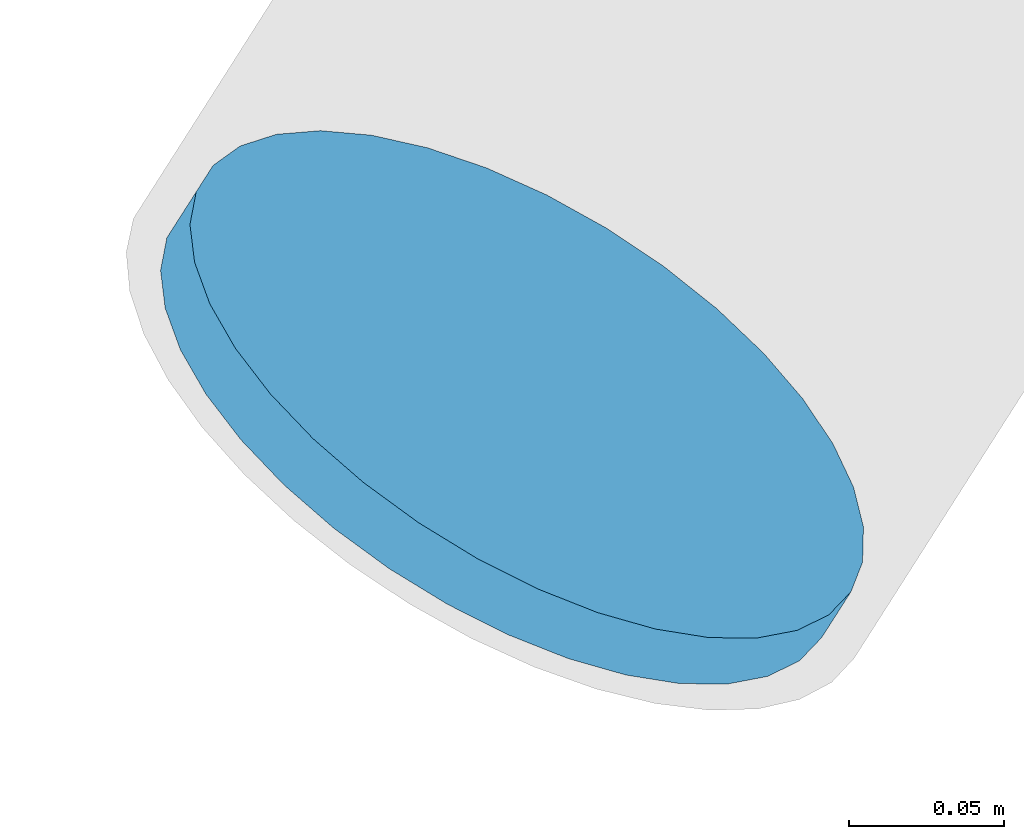
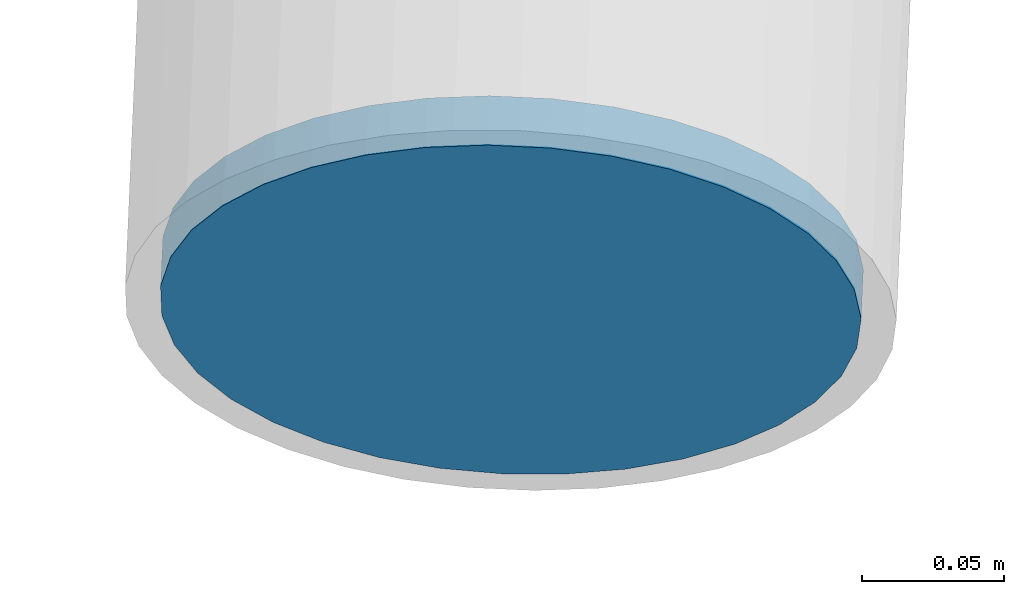
# One storey, part 33 of 40: 1 discrete accessory.
"""IFC4 building model written with IfcOpenShell, lengths in metres."""

from ifc_helpers import new_model, si_unit, direction, frame, origin, origin_2d, place, context, subcontext, project, spatial, circle, extrude, material, material_profile, profile_set, type_object, element, save


model = new_model("IFC4")

# Units and contexts
model_context = context("Model", 3, precision=1e-05, world=origin(), true_north=direction((0.0, 1.0)))
body_context = subcontext(model_context, "Body", "Model", "MODEL_VIEW")
ifc_project = project(units=[si_unit("LENGTHUNIT", "METRE"), si_unit("AREAUNIT", "SQUARE_METRE"), si_unit("VOLUMEUNIT", "CUBIC_METRE"), si_unit("PLANEANGLEUNIT", "RADIAN"), si_unit("MASSUNIT", "GRAM", prefix="KILO")], contexts=[model_context])

# Site, building, storey
site_placement = place(None, origin())
site = spatial("IfcSite", under=ifc_project, at=site_placement, CompositionType="ELEMENT")
building_placement = place(site_placement, origin())
building = spatial("IfcBuilding", under=site, at=building_placement, Name="Rimbun Link Towers", CompositionType="ELEMENT")
storey_placement = place(building_placement, frame((0.0, 0.0, 52.800048828125)))
storey = spatial("IfcBuildingStorey", under=building, at=storey_placement, Name="L12", CompositionType="ELEMENT", Elevation=52.800048828125)

# Discrete accessory
ifc_material = material(Name="Steel S355J2H", Category="steel")
ifc_material_profile = material_profile(ifc_material, circle(Radius=0.1240234375, at=origin_2d()), Name="PL D248")
ifc_profile_set = profile_set([ifc_material_profile], Name="Steel S355J2H")
discrete_accessory_type = type_object("IfcDiscreteAccessoryType", Name="Link foot sealing plate D248X20", PredefinedType="BRACKET", material=ifc_profile_set)
discrete_accessory_placement = place(storey_placement, frame((39.546142578125, -21.355712890625, -3.162353515625), z_axis=(-0.479657266839, -0.750233160954, -0.455059458284), x_axis=(0.842522148763, -0.538661701668, 0.0)))
element("IfcDiscreteAccessory", 1, at=discrete_accessory_placement, inside=storey, type_object=discrete_accessory_type, Name="Link foot sealing plate T2 L12 17", PredefinedType="BRACKET", context=body_context, shape_type="SweptSolid", body=[
    extrude(circle(Radius=0.1240234375, at=origin_2d()), origin(), (0.0, 0.0, 1.0), 0.019775390625),
])

save(model, "model.ifc")
